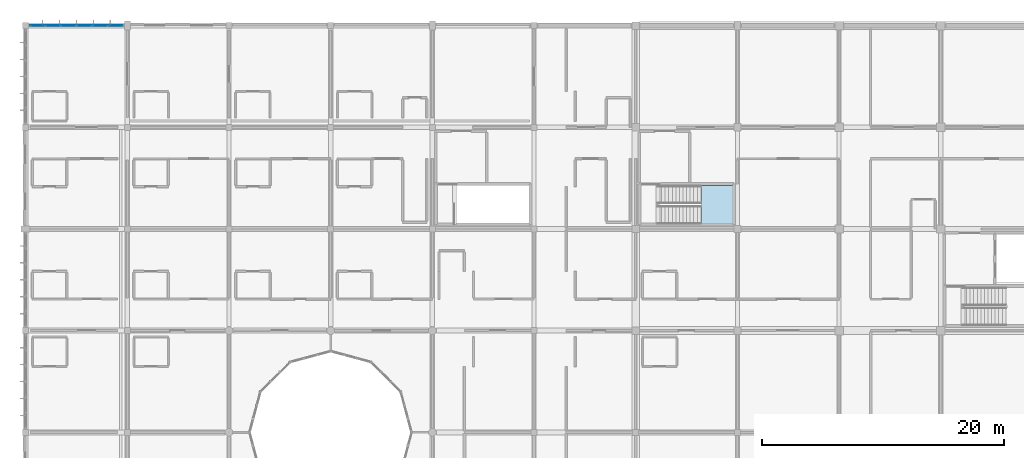
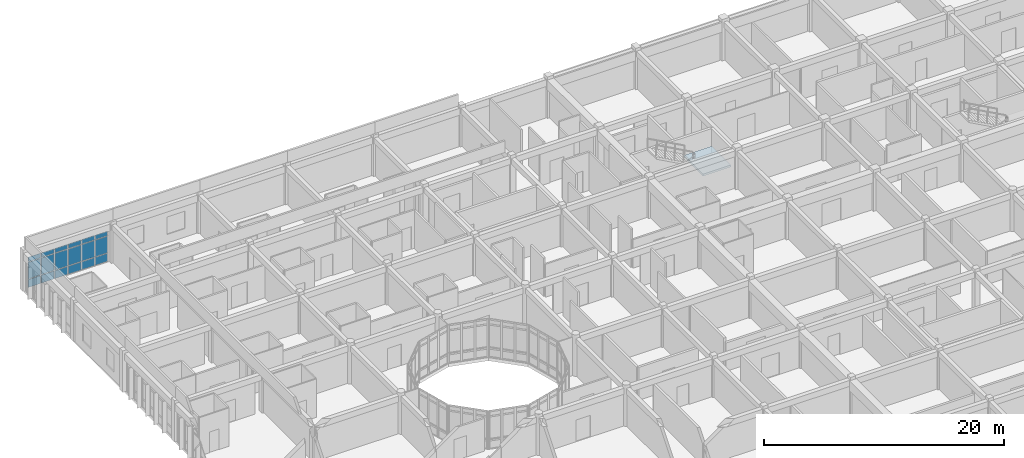
# One storey, part 65 of 119: 18 plates, 1 slab, 2 elements without a shape of their own.
"""IFC4 building model written with IfcOpenShell, lengths in metres."""

from ifc_helpers import new_model, si_unit, direction, frame, origin, origin_2d, place, context, subcontext, project, spatial, polyline, rectangle, outline, extrude, material, layer, layer_set, type_object, element, aggregate, save


model = new_model("IFC4")

# Units and contexts
model_context = context("Model", 3, precision=1e-05, world=origin(), true_north=direction((0.0, 1.0)))
body_context = subcontext(model_context, "Body", "Model", "MODEL_VIEW")
ifc_project = project(units=[si_unit("LENGTHUNIT", "METRE"), si_unit("AREAUNIT", "SQUARE_METRE"), si_unit("VOLUMEUNIT", "CUBIC_METRE"), si_unit("PLANEANGLEUNIT", "RADIAN"), si_unit("MASSUNIT", "GRAM", prefix="KILO")], contexts=[model_context])

# Site, building, storey
site_placement = place(None, origin())
site = spatial("IfcSite", under=ifc_project, at=site_placement, CompositionType="ELEMENT")
building_placement = place(site_placement, origin())
building = spatial("IfcBuilding", under=site, at=building_placement, Name="Bramfleet General Hospital", CompositionType="ELEMENT")
storey_placement = place(building_placement, frame((0.0, 0.0, 14.39990234375)))
storey = spatial("IfcBuildingStorey", under=building, at=storey_placement, Name="L03", CompositionType="ELEMENT", Elevation=14.39990234375)

# Curtain wall, plates
ifc_material_1 = material(Name="Anodised aluminium and low-E triple glazing", Category="aluminium")
ifc_layer_1 = layer(ifc_material_1, 0.179931640625, Name="CWT-CW-02")
ifc_layer_set_1 = layer_set([ifc_layer_1], Name="Anodised aluminium and low-E triple glazing")
curtain_wall_type = type_object("IfcCurtainWallType", Name="CWT-CW-02", PredefinedType="USERDEFINED", material=ifc_layer_set_1)
curtain_wall_placement = place(storey_placement, origin())
curtain_wall = element("IfcCurtainWall", 1, at=curtain_wall_placement, inside=storey, type_object=curtain_wall_type, Name="L03 Curtain Wall 146", ObjectType="Unitised curtain wall", PredefinedType="USERDEFINED")
ifc_material_2 = material(Name="Low-E laminated safety glass", Category="glass")
ifc_layer_2 = layer(ifc_material_2, 0.031982421875, Name="CWP-GLZ-2")
ifc_layer_set_2 = layer_set([ifc_layer_2], Name="Low-E laminated safety glass")
plate_type = type_object("IfcPlateType", Name="CWP-GLZ-2", PredefinedType="CURTAIN_PANEL", material=ifc_layer_set_2)
plate_1_placement = place(storey_placement, frame((0.98828125, 117.60009765625, 0.06494140625), z_axis=(0.0, 0.0, 1.0), x_axis=(1.0, 0.0, 0.0)))
plate_1 = element("IfcPlate", 2, at=plate_1_placement, type_object=plate_type, Name="CW-02 panel 1.1", PredefinedType="CURTAIN_PANEL", context=body_context, shape_type="SweptSolid", body=[
    extrude(rectangle(XDim=1.186767578125, YDim=0.031982421875, at=origin_2d()), origin(), (0.0, 0.0, 1.0), 0.802490234375),
])
plate_2_placement = place(storey_placement, frame((0.98828125, 117.60009765625, 0.9326171875), z_axis=(0.0, 0.0, 1.0), x_axis=(1.0, 0.0, 0.0)))
plate_2 = element("IfcPlate", 3, at=plate_2_placement, type_object=plate_type, Name="CW-02 panel 1.2", PredefinedType="CURTAIN_PANEL", context=body_context, shape_type="SweptSolid", body=[
    extrude(rectangle(XDim=1.186767578125, YDim=0.031982421875, at=origin_2d()), origin(), (0.0, 0.0, 1.0), 1.675048828125),
])
plate_3_placement = place(storey_placement, frame((0.98828125, 117.60009765625, 2.6728515625), z_axis=(0.0, 0.0, 1.0), x_axis=(1.0, 0.0, 0.0)))
plate_3 = element("IfcPlate", 4, at=plate_3_placement, type_object=plate_type, Name="CW-02 panel 1.3", PredefinedType="CURTAIN_PANEL", context=body_context, shape_type="SweptSolid", body=[
    extrude(rectangle(XDim=1.186767578125, YDim=0.031982421875, at=origin_2d()), origin(), (0.0, 0.0, 1.0), 0.452392578125),
])
plate_4_placement = place(storey_placement, frame((2.262451171875, 117.60009765625, 0.06494140625), z_axis=(0.0, 0.0, 1.0), x_axis=(1.0, 0.0, 0.0)))
plate_4 = element("IfcPlate", 5, at=plate_4_placement, type_object=plate_type, Name="CW-02 panel 2.1", PredefinedType="CURTAIN_PANEL", context=body_context, shape_type="SweptSolid", body=[
    extrude(rectangle(XDim=1.2216796875, YDim=0.031982421875, at=origin_2d()), origin(), (0.0, 0.0, 1.0), 0.802490234375),
])
plate_5_placement = place(storey_placement, frame((2.262451171875, 117.60009765625, 0.9326171875), z_axis=(0.0, 0.0, 1.0), x_axis=(1.0, 0.0, 0.0)))
plate_5 = element("IfcPlate", 6, at=plate_5_placement, type_object=plate_type, Name="CW-02 panel 2.2", PredefinedType="CURTAIN_PANEL", context=body_context, shape_type="SweptSolid", body=[
    extrude(rectangle(XDim=1.2216796875, YDim=0.031982421875, at=origin_2d()), origin(), (0.0, 0.0, 1.0), 1.675048828125),
])
plate_6_placement = place(storey_placement, frame((2.262451171875, 117.60009765625, 2.6728515625), z_axis=(0.0, 0.0, 1.0), x_axis=(1.0, 0.0, 0.0)))
plate_6 = element("IfcPlate", 7, at=plate_6_placement, type_object=plate_type, Name="CW-02 panel 2.3", PredefinedType="CURTAIN_PANEL", context=body_context, shape_type="SweptSolid", body=[
    extrude(rectangle(XDim=1.2216796875, YDim=0.031982421875, at=origin_2d()), origin(), (0.0, 0.0, 1.0), 0.452392578125),
])
plate_7_placement = place(storey_placement, frame((3.55419921875, 117.60009765625, 0.06494140625), z_axis=(0.0, 0.0, 1.0), x_axis=(1.0, 0.0, 0.0)))
plate_7 = element("IfcPlate", 8, at=plate_7_placement, type_object=plate_type, Name="CW-02 panel 3.1", PredefinedType="CURTAIN_PANEL", context=body_context, shape_type="SweptSolid", body=[
    extrude(rectangle(XDim=1.2216796875, YDim=0.031982421875, at=origin_2d()), origin(), (0.0, 0.0, 1.0), 0.802490234375),
])
plate_8_placement = place(storey_placement, frame((3.55419921875, 117.60009765625, 0.9326171875), z_axis=(0.0, 0.0, 1.0), x_axis=(1.0, 0.0, 0.0)))
plate_8 = element("IfcPlate", 9, at=plate_8_placement, type_object=plate_type, Name="CW-02 panel 3.2", PredefinedType="CURTAIN_PANEL", context=body_context, shape_type="SweptSolid", body=[
    extrude(rectangle(XDim=1.2216796875, YDim=0.031982421875, at=origin_2d()), origin(), (0.0, 0.0, 1.0), 1.675048828125),
])
plate_9_placement = place(storey_placement, frame((3.55419921875, 117.60009765625, 2.6728515625), z_axis=(0.0, 0.0, 1.0), x_axis=(1.0, 0.0, 0.0)))
plate_9 = element("IfcPlate", 10, at=plate_9_placement, type_object=plate_type, Name="CW-02 panel 3.3", PredefinedType="CURTAIN_PANEL", context=body_context, shape_type="SweptSolid", body=[
    extrude(rectangle(XDim=1.2216796875, YDim=0.031982421875, at=origin_2d()), origin(), (0.0, 0.0, 1.0), 0.452392578125),
])
plate_10_placement = place(storey_placement, frame((4.845947265625, 117.60009765625, 0.06494140625), z_axis=(0.0, 0.0, 1.0), x_axis=(1.0, 0.0, 0.0)))
plate_10 = element("IfcPlate", 11, at=plate_10_placement, type_object=plate_type, Name="CW-02 panel 4.1", PredefinedType="CURTAIN_PANEL", context=body_context, shape_type="SweptSolid", body=[
    extrude(rectangle(XDim=1.2216796875, YDim=0.031982421875, at=origin_2d()), origin(), (0.0, 0.0, 1.0), 0.802490234375),
])
plate_11_placement = place(storey_placement, frame((4.845947265625, 117.60009765625, 0.9326171875), z_axis=(0.0, 0.0, 1.0), x_axis=(1.0, 0.0, 0.0)))
plate_11 = element("IfcPlate", 12, at=plate_11_placement, type_object=plate_type, Name="CW-02 panel 4.2", PredefinedType="CURTAIN_PANEL", context=body_context, shape_type="SweptSolid", body=[
    extrude(rectangle(XDim=1.2216796875, YDim=0.031982421875, at=origin_2d()), origin(), (0.0, 0.0, 1.0), 1.675048828125),
])
plate_12_placement = place(storey_placement, frame((4.845947265625, 117.60009765625, 2.6728515625), z_axis=(0.0, 0.0, 1.0), x_axis=(1.0, 0.0, 0.0)))
plate_12 = element("IfcPlate", 13, at=plate_12_placement, type_object=plate_type, Name="CW-02 panel 4.3", PredefinedType="CURTAIN_PANEL", context=body_context, shape_type="SweptSolid", body=[
    extrude(rectangle(XDim=1.2216796875, YDim=0.031982421875, at=origin_2d()), origin(), (0.0, 0.0, 1.0), 0.452392578125),
])
plate_13_placement = place(storey_placement, frame((6.137451171875, 117.60009765625, 0.06494140625), z_axis=(0.0, 0.0, 1.0), x_axis=(1.0, 0.0, 0.0)))
plate_13 = element("IfcPlate", 14, at=plate_13_placement, type_object=plate_type, Name="CW-02 panel 5.1", PredefinedType="CURTAIN_PANEL", context=body_context, shape_type="SweptSolid", body=[
    extrude(rectangle(XDim=1.2216796875, YDim=0.031982421875, at=origin_2d()), origin(), (0.0, 0.0, 1.0), 0.802490234375),
])
plate_14_placement = place(storey_placement, frame((6.137451171875, 117.60009765625, 0.9326171875), z_axis=(0.0, 0.0, 1.0), x_axis=(1.0, 0.0, 0.0)))
plate_14 = element("IfcPlate", 15, at=plate_14_placement, type_object=plate_type, Name="CW-02 panel 5.2", PredefinedType="CURTAIN_PANEL", context=body_context, shape_type="SweptSolid", body=[
    extrude(rectangle(XDim=1.2216796875, YDim=0.031982421875, at=origin_2d()), origin(), (0.0, 0.0, 1.0), 1.675048828125),
])
plate_15_placement = place(storey_placement, frame((6.137451171875, 117.60009765625, 2.6728515625), z_axis=(0.0, 0.0, 1.0), x_axis=(1.0, 0.0, 0.0)))
plate_15 = element("IfcPlate", 16, at=plate_15_placement, type_object=plate_type, Name="CW-02 panel 5.3", PredefinedType="CURTAIN_PANEL", context=body_context, shape_type="SweptSolid", body=[
    extrude(rectangle(XDim=1.2216796875, YDim=0.031982421875, at=origin_2d()), origin(), (0.0, 0.0, 1.0), 0.452392578125),
])
plate_16_placement = place(storey_placement, frame((7.41162109375, 117.60009765625, 0.06494140625), z_axis=(0.0, 0.0, 1.0), x_axis=(1.0, 0.0, 0.0)))
plate_16 = element("IfcPlate", 17, at=plate_16_placement, type_object=plate_type, Name="CW-02 panel 6.1", PredefinedType="CURTAIN_PANEL", context=body_context, shape_type="SweptSolid", body=[
    extrude(rectangle(XDim=1.186767578125, YDim=0.031982421875, at=origin_2d()), origin(), (0.0, 0.0, 1.0), 0.802490234375),
])
plate_17_placement = place(storey_placement, frame((7.41162109375, 117.60009765625, 0.9326171875), z_axis=(0.0, 0.0, 1.0), x_axis=(1.0, 0.0, 0.0)))
plate_17 = element("IfcPlate", 18, at=plate_17_placement, type_object=plate_type, Name="CW-02 panel 6.2", PredefinedType="CURTAIN_PANEL", context=body_context, shape_type="SweptSolid", body=[
    extrude(rectangle(XDim=1.186767578125, YDim=0.031982421875, at=origin_2d()), origin(), (0.0, 0.0, 1.0), 1.675048828125),
])
plate_18_placement = place(storey_placement, frame((7.41162109375, 117.60009765625, 2.6728515625), z_axis=(0.0, 0.0, 1.0), x_axis=(1.0, 0.0, 0.0)))
plate_18 = element("IfcPlate", 19, at=plate_18_placement, type_object=plate_type, Name="CW-02 panel 6.3", PredefinedType="CURTAIN_PANEL", context=body_context, shape_type="SweptSolid", body=[
    extrude(rectangle(XDim=1.186767578125, YDim=0.031982421875, at=origin_2d()), origin(), (0.0, 0.0, 1.0), 0.452392578125),
])
aggregate(curtain_wall, [plate_1, plate_2, plate_3, plate_4, plate_5, plate_6, plate_7, plate_8, plate_9, plate_10, plate_11, plate_12, plate_13, plate_14, plate_15, plate_16, plate_17, plate_18])

# Stair, slab
ifc_material_3 = material(Name="Concrete C35/45", Category="concrete")
stair_type = type_object("IfcStairType", Name="STR-T3", PredefinedType="HALF_TURN_STAIR", material=ifc_material_3)
stair_placement = place(storey_placement, origin())
stair = element("IfcStair", 20, at=stair_placement, inside=storey, type_object=stair_type, Name="L03 Core C14 (West Ward Wing Escape) Protected Escape Stair", PredefinedType="HALF_TURN_STAIR")
ifc_layer_3 = layer(ifc_material_3, 0.199951171875, Name="SL-LND-200")
ifc_layer_set_3 = layer_set([ifc_layer_3], Name="Concrete C35/45")
slab_type = type_object("IfcSlabType", Name="SL-LND-200", PredefinedType="LANDING", material=ifc_layer_set_3)
slab_placement = place(storey_placement, frame((0.0, 0.0, 1.900146484375)))
slab = element("IfcSlab", 21, at=slab_placement, type_object=slab_type, Name="ST-C14 landing 1", PredefinedType="LANDING", context=body_context, shape_type="SweptSolid", body=[
    extrude(outline(polyline([(55.780029296875, 101.219970703125), (58.4599609375, 101.219970703125), (58.4599609375, 104.3798828125), (55.780029296875, 104.3798828125), (55.780029296875, 101.219970703125)])), origin(), (0.0, 0.0, 1.0), 0.199951171875),
])
aggregate(stair, [slab])

save(model, "model.ifc")
